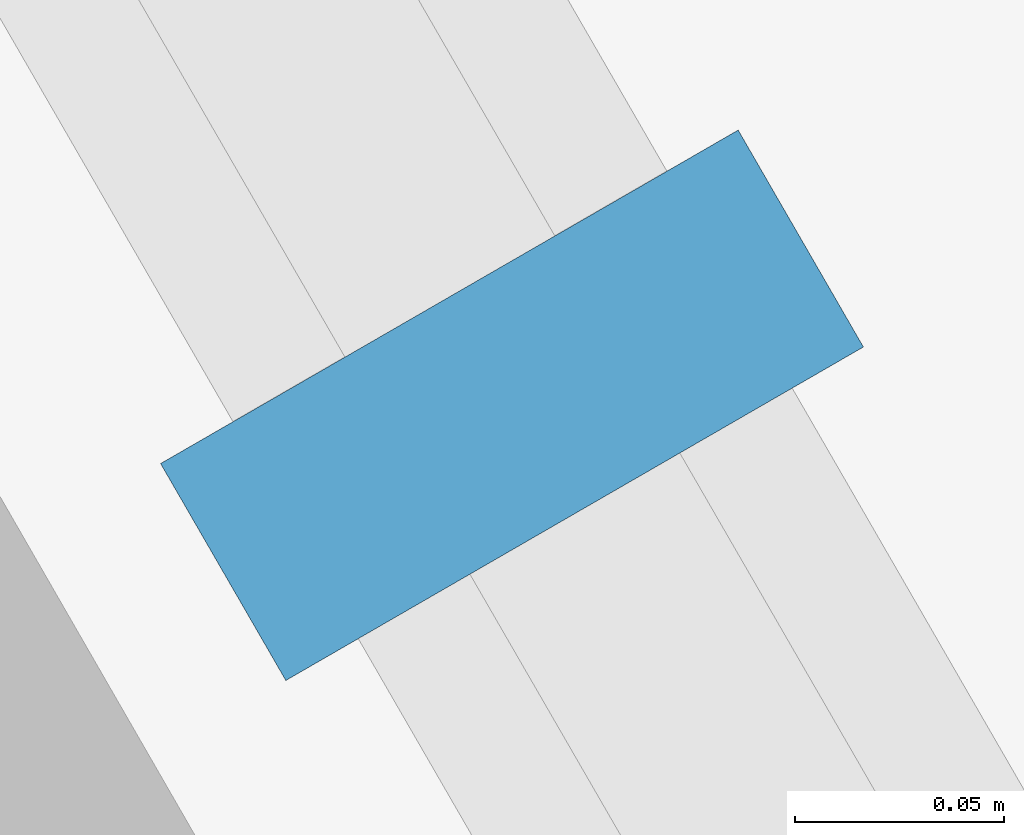
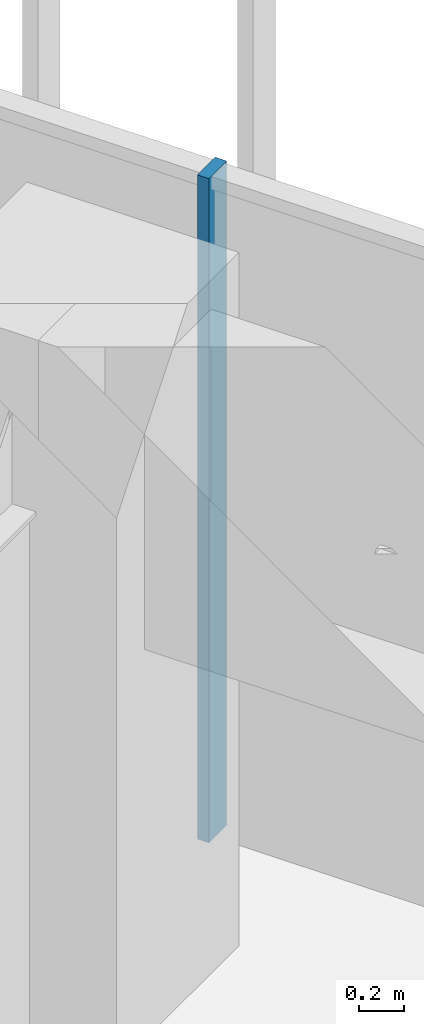
# One storey, part 117 of 127: 1 member, 1 element without a shape of its own.
"""IFC4 building model written with IfcOpenShell, lengths in metres."""

from ifc_helpers import new_model, si_unit, direction, frame, origin, origin_2d, place, context, subcontext, project, spatial, rectangle, extrude, material, material_profile, profile_set, type_object, element, aggregate, save


model = new_model("IFC4")

# Units and contexts
model_context = context("Model", 3, precision=1e-05, world=origin(), true_north=direction((0.0, 1.0)))
body_context = subcontext(model_context, "Body", "Model", "MODEL_VIEW")
ifc_project = project(units=[si_unit("LENGTHUNIT", "METRE"), si_unit("AREAUNIT", "SQUARE_METRE"), si_unit("VOLUMEUNIT", "CUBIC_METRE"), si_unit("PLANEANGLEUNIT", "RADIAN"), si_unit("MASSUNIT", "GRAM", prefix="KILO")], contexts=[model_context])

# Site, building, storey
site_placement = place(None, origin())
site = spatial("IfcSite", under=ifc_project, at=site_placement, CompositionType="ELEMENT")
building_placement = place(site_placement, origin())
building = spatial("IfcBuilding", under=site, at=building_placement, Name="Sandreach Pilgrim Tower", CompositionType="ELEMENT")
storey_placement = place(building_placement, frame((0.0, 0.0, 257.0)))
storey = spatial("IfcBuildingStorey", under=building, at=storey_placement, Name="L64", CompositionType="ELEMENT", Elevation=257.0)

# Curtain wall, member
ifc_material_1 = material(Name="Aluminium framed curtain wall", Category="aluminium")
curtain_wall_type = type_object("IfcCurtainWallType", Name="Suite tower curtain wall", PredefinedType="NOTDEFINED", material=ifc_material_1)
curtain_wall_placement = place(storey_placement, origin())
curtain_wall = element("IfcCurtainWall", 1, at=curtain_wall_placement, inside=storey, type_object=curtain_wall_type, Name="CW-4 L64 NE", PredefinedType="NOTDEFINED")
ifc_material_2 = material(Name="Aluminium extrusion", Category="aluminium")
ifc_material_profile = material_profile(ifc_material_2, rectangle(XDim=0.06005859375, YDim=0.159912109375, at=origin_2d()), Name="CW-4M 60X160")
ifc_profile_set = profile_set([ifc_material_profile], Name="Aluminium extrusion")
member_type = type_object("IfcMemberType", Name="CW-4 mullion", PredefinedType="MULLION", material=ifc_profile_set)
member_placement = place(storey_placement, frame((21.527587890625, 12.428955078125, 0.0), z_axis=(0.0, 0.0, 1.0), x_axis=(0.5, -0.866025403784, 0.0)))
member = element("IfcMember", 2, at=member_placement, type_object=member_type, Name="CW-4 mullion 3", PredefinedType="MULLION", context=body_context, shape_type="SweptSolid", body=[
    extrude(rectangle(XDim=0.06005859375, YDim=0.159912109375, at=origin_2d()), origin(), (0.0, 0.0, 1.0), 3.639892578125),
])
aggregate(curtain_wall, [member])

save(model, "model.ifc")
